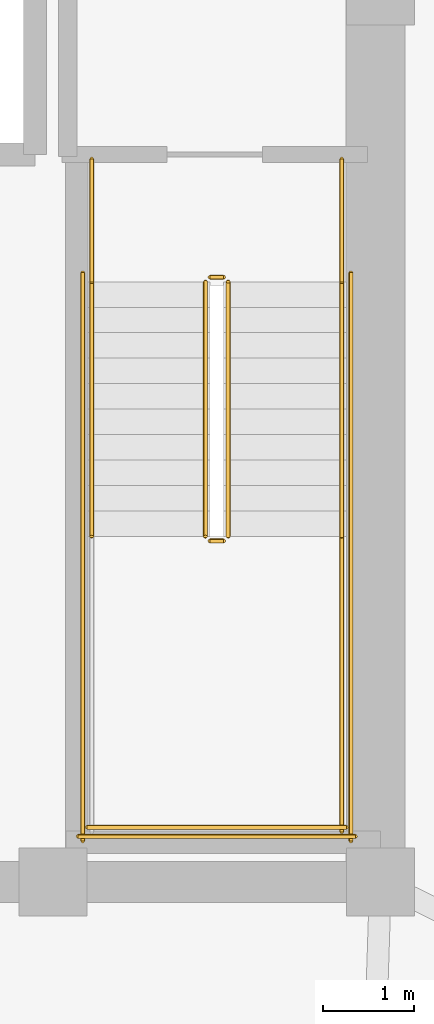
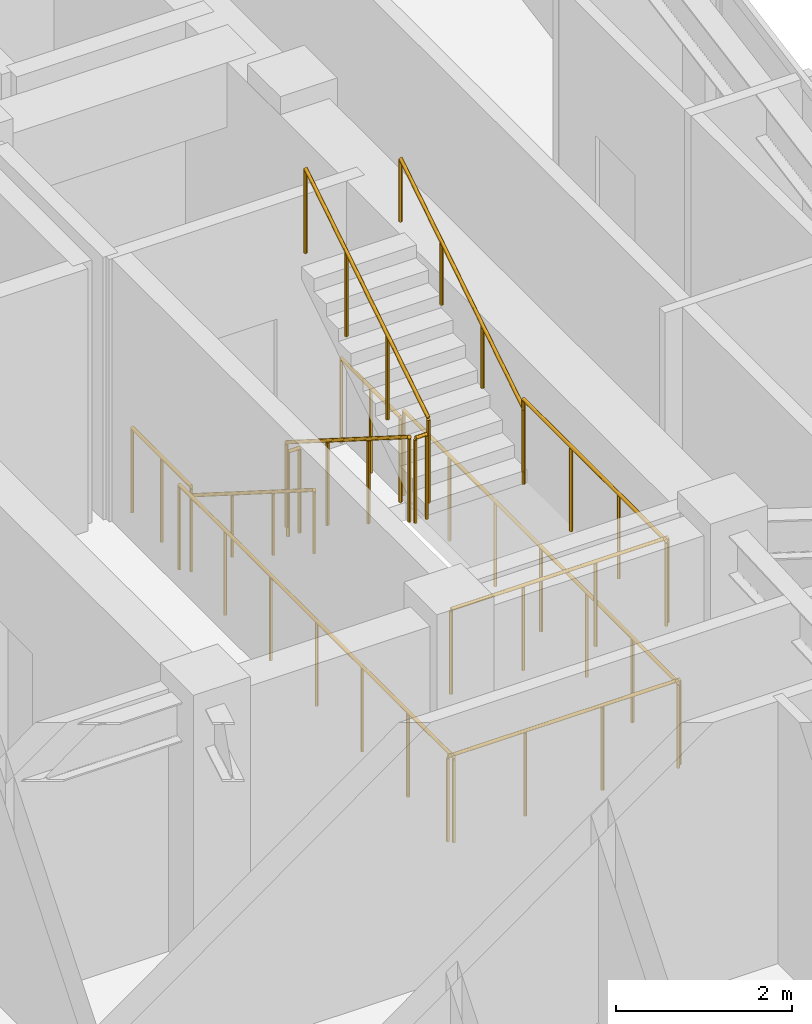
# One storey, part 23 of 23: 13 railings.
"""IFC4 building model written with IfcOpenShell, lengths in metres."""

from ifc_helpers import new_model, si_unit, direction, frame, origin, origin_2d, place, context, subcontext, project, spatial, circle, extrude, material, type_object, element, save


model = new_model("IFC4")

# Units and contexts
model_context = context("Model", 3, precision=1e-05, world=origin(), true_north=direction((0.0, 1.0)))
body_context = subcontext(model_context, "Body", "Model", "MODEL_VIEW")
ifc_project = project(units=[si_unit("LENGTHUNIT", "METRE"), si_unit("AREAUNIT", "SQUARE_METRE"), si_unit("VOLUMEUNIT", "CUBIC_METRE"), si_unit("PLANEANGLEUNIT", "RADIAN"), si_unit("MASSUNIT", "GRAM", prefix="KILO")], contexts=[model_context])

# Site, building, storey
site_placement = place(None, origin())
site = spatial("IfcSite", under=ifc_project, at=site_placement, CompositionType="ELEMENT")
building_placement = place(site_placement, origin())
building = spatial("IfcBuilding", under=site, at=building_placement, Name="Voryun Gate Residences", CompositionType="ELEMENT")
storey_placement = place(building_placement, frame((0.0, 0.0, 275.60009765625)))
storey = spatial("IfcBuildingStorey", under=building, at=storey_placement, Name="L68", CompositionType="ELEMENT", Elevation=275.60009765625)

# Railings
ifc_material_1 = material(Name="Painted steel", Category="steel")
railing_type_1 = type_object("IfcRailingType", Name="RAIL_STAIR_GUARD_1200", PredefinedType="GUARDRAIL", material=ifc_material_1)
railing_1_placement = place(storey_placement, frame((17.27490234375, -0.800048828125, 0.17724609375)))
element("IfcRailing", 1, at=railing_1_placement, inside=storey, type_object=railing_type_1, Name="L68 ST-E1 stair guard 1", PredefinedType="GUARDRAIL", context=body_context, shape_type="SweptSolid", body=[
    extrude(circle(Radius=0.02392578125, at=origin_2d()), frame((0.0, 0.0, 1.17578125), z_axis=(0.0, -0.844908973607, 0.534910110503), x_axis=(1.0, 0.0, 0.0)), (0.0, 0.0, 1.0), 3.31396484375),
    extrude(circle(Radius=0.02099609375, at=origin_2d()), origin(), (0.0, 0.0, 1.0), 1.15185546875),
    extrude(circle(Radius=0.02099609375, at=origin_2d()), frame((0.0, -0.933349609375, 0.5908203125)), (0.0, 0.0, 1.0), 1.15185546875),
    extrude(circle(Radius=0.02099609375, at=origin_2d()), frame((0.0, -1.86669921875, 1.181884765625)), (0.0, 0.0, 1.0), 1.15185546875),
    extrude(circle(Radius=0.02099609375, at=origin_2d()), frame((0.0, -2.800048828125, 1.772705078125)), (0.0, 0.0, 1.0), 1.15185546875),
])
railing_2_placement = place(storey_placement, frame((17.324951171875, -3.64990234375, 1.949951171875)))
element("IfcRailing", 2, at=railing_2_placement, inside=storey, type_object=railing_type_1, Name="L68 ST-E1 stair guard 2", PredefinedType="GUARDRAIL", context=body_context, shape_type="SweptSolid", body=[
    extrude(circle(Radius=0.02392578125, at=origin_2d()), frame((0.0, 0.0, 1.17578125), z_axis=(1.0, 0.0, 0.0), x_axis=(0.0, 1.0, 0.0)), (0.0, 0.0, 1.0), 0.150146484375),
    extrude(circle(Radius=0.02099609375, at=origin_2d()), origin(), (0.0, 0.0, 1.0), 1.15185546875),
    extrude(circle(Radius=0.02099609375, at=origin_2d()), frame((0.150146484375, 0.0, 0.0)), (0.0, 0.0, 1.0), 1.15185546875),
])
railing_3_placement = place(storey_placement, frame((18.77490234375, -3.60009765625, 1.949951171875)))
element("IfcRailing", 3, at=railing_3_placement, inside=storey, type_object=railing_type_1, Name="L68 ST-E1 stair guard 4", PredefinedType="GUARDRAIL", context=body_context, shape_type="SweptSolid", body=[
    extrude(circle(Radius=0.02392578125, at=origin_2d()), frame((0.0, 0.0, 1.17578125), z_axis=(0.0, -1.0, 0.0), x_axis=(1.0, 0.0, 0.0)), (0.0, 0.0, 1.0), 3.25),
    extrude(circle(Radius=0.02099609375, at=origin_2d()), origin(), (0.0, 0.0, 1.0), 1.15185546875),
    extrude(circle(Radius=0.02099609375, at=origin_2d()), frame((0.0, -1.083251953125, 0.0)), (0.0, 0.0, 1.0), 1.15185546875),
    extrude(circle(Radius=0.02099609375, at=origin_2d()), frame((0.0, -2.166748046875, 0.0)), (0.0, 0.0, 1.0), 1.15185546875),
    extrude(circle(Radius=0.02099609375, at=origin_2d()), frame((0.0, -3.25, 0.0)), (0.0, 0.0, 1.0), 1.15185546875),
])
railing_4_placement = place(storey_placement, frame((15.97509765625, -6.800048828125, 1.949951171875)))
element("IfcRailing", 4, at=railing_4_placement, inside=storey, type_object=railing_type_1, Name="L68 ST-E1 stair guard 5", PredefinedType="GUARDRAIL", context=body_context, shape_type="SweptSolid", body=[
    extrude(circle(Radius=0.02392578125, at=origin_2d()), frame((0.0, 0.0, 1.17578125), z_axis=(1.0, 0.0, 0.0), x_axis=(0.0, 1.0, 0.0)), (0.0, 0.0, 1.0), 2.849853515625),
    extrude(circle(Radius=0.02099609375, at=origin_2d()), origin(), (0.0, 0.0, 1.0), 1.15185546875),
    extrude(circle(Radius=0.02099609375, at=origin_2d()), frame((0.949951171875, 0.0, 0.0)), (0.0, 0.0, 1.0), 1.15185546875),
    extrude(circle(Radius=0.02099609375, at=origin_2d()), frame((1.89990234375, 0.0, 0.0)), (0.0, 0.0, 1.0), 1.15185546875),
    extrude(circle(Radius=0.02099609375, at=origin_2d()), frame((2.849853515625, 0.0, 0.0)), (0.0, 0.0, 1.0), 1.15185546875),
])
railing_5_placement = place(storey_placement, frame((17.52490234375, -3.60009765625, 2.127197265625)))
element("IfcRailing", 5, at=railing_5_placement, inside=storey, type_object=railing_type_1, Name="L68 ST-E1 stair guard 6", PredefinedType="GUARDRAIL", context=body_context, shape_type="SweptSolid", body=[
    extrude(circle(Radius=0.02392578125, at=origin_2d()), frame((0.0, 0.0, 1.17578125), z_axis=(0.0, 0.844908973607, 0.534910110503), x_axis=(-1.0, 0.0, 0.0)), (0.0, 0.0, 1.0), 3.31396484375),
    extrude(circle(Radius=0.02099609375, at=origin_2d()), origin(), (0.0, 0.0, 1.0), 1.15185546875),
    extrude(circle(Radius=0.02099609375, at=origin_2d()), frame((0.0, 0.933349609375, 0.5908203125)), (0.0, 0.0, 1.0), 1.15185546875),
    extrude(circle(Radius=0.02099609375, at=origin_2d()), frame((0.0, 1.86669921875, 1.181884765625)), (0.0, 0.0, 1.0), 1.15185546875),
    extrude(circle(Radius=0.02099609375, at=origin_2d()), frame((0.0, 2.800048828125, 1.772705078125)), (0.0, 0.0, 1.0), 1.15185546875),
])
railing_6_placement = place(storey_placement, frame((17.324951171875, -0.75, 0.0)))
element("IfcRailing", 6, at=railing_6_placement, inside=storey, type_object=railing_type_1, Name="L68 ST-E1 stair guard 7", PredefinedType="GUARDRAIL", context=body_context, shape_type="SweptSolid", body=[
    extrude(circle(Radius=0.02392578125, at=origin_2d()), frame((0.0, 0.0, 1.17578125), z_axis=(1.0, 0.0, 0.0), x_axis=(0.0, 1.0, 0.0)), (0.0, 0.0, 1.0), 0.150146484375),
    extrude(circle(Radius=0.02099609375, at=origin_2d()), origin(), (0.0, 0.0, 1.0), 1.15185546875),
    extrude(circle(Radius=0.02099609375, at=origin_2d()), frame((0.150146484375, 0.0, 0.0)), (0.0, 0.0, 1.0), 1.15185546875),
])
for number, where, name in (
    (7, (16.02490234375, 0.550048828125, 0.0), "L68 ST-E1 stair guard 8"),
    (8, (18.77490234375, 0.550048828125, 0.0), "L68 ST-E1 stair guard 9"),
):
    element("IfcRailing", number, at=place(storey_placement, frame(where)), inside=storey, type_object=railing_type_1, Name=name, PredefinedType="GUARDRAIL", context=body_context, shape_type="SweptSolid", body=[
        extrude(circle(Radius=0.02392578125, at=origin_2d()), frame((0.0, 0.0, 1.17578125), z_axis=(0.0, -1.0, 0.0), x_axis=(1.0, 0.0, 0.0)), (0.0, 0.0, 1.0), 1.35009765625),
        extrude(circle(Radius=0.02099609375, at=origin_2d()), origin(), (0.0, 0.0, 1.0), 1.15185546875),
        extrude(circle(Radius=0.02099609375, at=origin_2d()), frame((0.0, -0.675048828125, 0.0)), (0.0, 0.0, 1.0), 1.15185546875),
        extrude(circle(Radius=0.02099609375, at=origin_2d()), frame((0.0, -1.35009765625, 0.0)), (0.0, 0.0, 1.0), 1.15185546875),
    ])
for number, where, name in (
    (9, (15.925048828125, -0.699951171875, 0.0), "L68 ST-E1 stair guard 10"),
    (10, (18.875, -0.699951171875, 0.0), "L68 ST-E1 stair guard 11"),
):
    element("IfcRailing", number, at=place(storey_placement, frame(where)), inside=storey, type_object=railing_type_1, Name=name, PredefinedType="GUARDRAIL", context=body_context, shape_type="SweptSolid", body=[
        extrude(circle(Radius=0.02392578125, at=origin_2d()), frame((0.0, 0.0, 1.17578125), z_axis=(0.0, -1.0, 0.0), x_axis=(1.0, 0.0, 0.0)), (0.0, 0.0, 1.0), 6.25),
        extrude(circle(Radius=0.02099609375, at=origin_2d()), origin(), (0.0, 0.0, 1.0), 1.15185546875),
        extrude(circle(Radius=0.02099609375, at=origin_2d()), frame((0.0, -1.041748046875, 0.0)), (0.0, 0.0, 1.0), 1.15185546875),
        extrude(circle(Radius=0.02099609375, at=origin_2d()), frame((0.0, -2.083251953125, 0.0)), (0.0, 0.0, 1.0), 1.15185546875),
        extrude(circle(Radius=0.02099609375, at=origin_2d()), frame((0.0, -3.125, 0.0)), (0.0, 0.0, 1.0), 1.15185546875),
        extrude(circle(Radius=0.02099609375, at=origin_2d()), frame((0.0, -4.166748046875, 0.0)), (0.0, 0.0, 1.0), 1.15185546875),
        extrude(circle(Radius=0.02099609375, at=origin_2d()), frame((0.0, -5.208251953125, 0.0)), (0.0, 0.0, 1.0), 1.15185546875),
        extrude(circle(Radius=0.02099609375, at=origin_2d()), frame((0.0, -6.25, 0.0)), (0.0, 0.0, 1.0), 1.15185546875),
    ])
railing_7_placement = place(storey_placement, frame((15.875, -6.89990234375, 0.0)))
element("IfcRailing", 11, at=railing_7_placement, inside=storey, type_object=railing_type_1, Name="L68 ST-E1 stair guard 12", PredefinedType="GUARDRAIL", context=body_context, shape_type="SweptSolid", body=[
    extrude(circle(Radius=0.02392578125, at=origin_2d()), frame((0.0, 0.0, 1.17578125), z_axis=(1.0, 0.0, 0.0), x_axis=(0.0, 1.0, 0.0)), (0.0, 0.0, 1.0), 3.050048828125),
    extrude(circle(Radius=0.02099609375, at=origin_2d()), origin(), (0.0, 0.0, 1.0), 1.15185546875),
    extrude(circle(Radius=0.02099609375, at=origin_2d()), frame((1.0166015625, 0.0, 0.0)), (0.0, 0.0, 1.0), 1.15185546875),
    extrude(circle(Radius=0.02099609375, at=origin_2d()), frame((2.033447265625, 0.0, 0.0)), (0.0, 0.0, 1.0), 1.15185546875),
    extrude(circle(Radius=0.02099609375, at=origin_2d()), frame((3.050048828125, 0.0, 0.0)), (0.0, 0.0, 1.0), 1.15185546875),
])
ifc_material_2 = material(Name="Painted steel", Category="steel")
railing_type_2 = type_object("IfcRailingType", Name="RAIL_STAIR_HANDRAIL_900", PredefinedType="HANDRAIL", material=ifc_material_2)
railing_8_placement = place(storey_placement, frame((16.02490234375, -0.800048828125, 0.17724609375)))
element("IfcRailing", 12, at=railing_8_placement, inside=storey, type_object=railing_type_2, Name="L68 ST-E1 stair handrail 1", PredefinedType="HANDRAIL", context=body_context, shape_type="SweptSolid", body=[
    extrude(circle(Radius=0.02392578125, at=origin_2d()), frame((0.0, 0.0, 0.8759765625), z_axis=(0.0, -0.844908973607, 0.534910110503), x_axis=(1.0, 0.0, 0.0)), (0.0, 0.0, 1.0), 3.31396484375),
    extrude(circle(Radius=0.02099609375, at=origin_2d()), origin(), (0.0, 0.0, 1.0), 0.851806640625),
    extrude(circle(Radius=0.02099609375, at=origin_2d()), frame((0.0, -0.933349609375, 0.5908203125)), (0.0, 0.0, 1.0), 0.851806640625),
    extrude(circle(Radius=0.02099609375, at=origin_2d()), frame((0.0, -1.86669921875, 1.181884765625)), (0.0, 0.0, 1.0), 0.851806640625),
    extrude(circle(Radius=0.02099609375, at=origin_2d()), frame((0.0, -2.800048828125, 1.772705078125)), (0.0, 0.0, 1.0), 0.851806640625),
])
railing_9_placement = place(storey_placement, frame((18.77490234375, -3.60009765625, 2.127197265625)))
element("IfcRailing", 13, at=railing_9_placement, inside=storey, type_object=railing_type_2, Name="L68 ST-E1 stair handrail 2", PredefinedType="HANDRAIL", context=body_context, shape_type="SweptSolid", body=[
    extrude(circle(Radius=0.02392578125, at=origin_2d()), frame((0.0, 0.0, 0.8759765625), z_axis=(0.0, 0.844908973607, 0.534910110503), x_axis=(-1.0, 0.0, 0.0)), (0.0, 0.0, 1.0), 3.31396484375),
    extrude(circle(Radius=0.02099609375, at=origin_2d()), origin(), (0.0, 0.0, 1.0), 0.851806640625),
    extrude(circle(Radius=0.02099609375, at=origin_2d()), frame((0.0, 0.933349609375, 0.5908203125)), (0.0, 0.0, 1.0), 0.851806640625),
    extrude(circle(Radius=0.02099609375, at=origin_2d()), frame((0.0, 1.86669921875, 1.181884765625)), (0.0, 0.0, 1.0), 0.851806640625),
    extrude(circle(Radius=0.02099609375, at=origin_2d()), frame((0.0, 2.800048828125, 1.772705078125)), (0.0, 0.0, 1.0), 0.851806640625),
])

save(model, "model.ifc")
